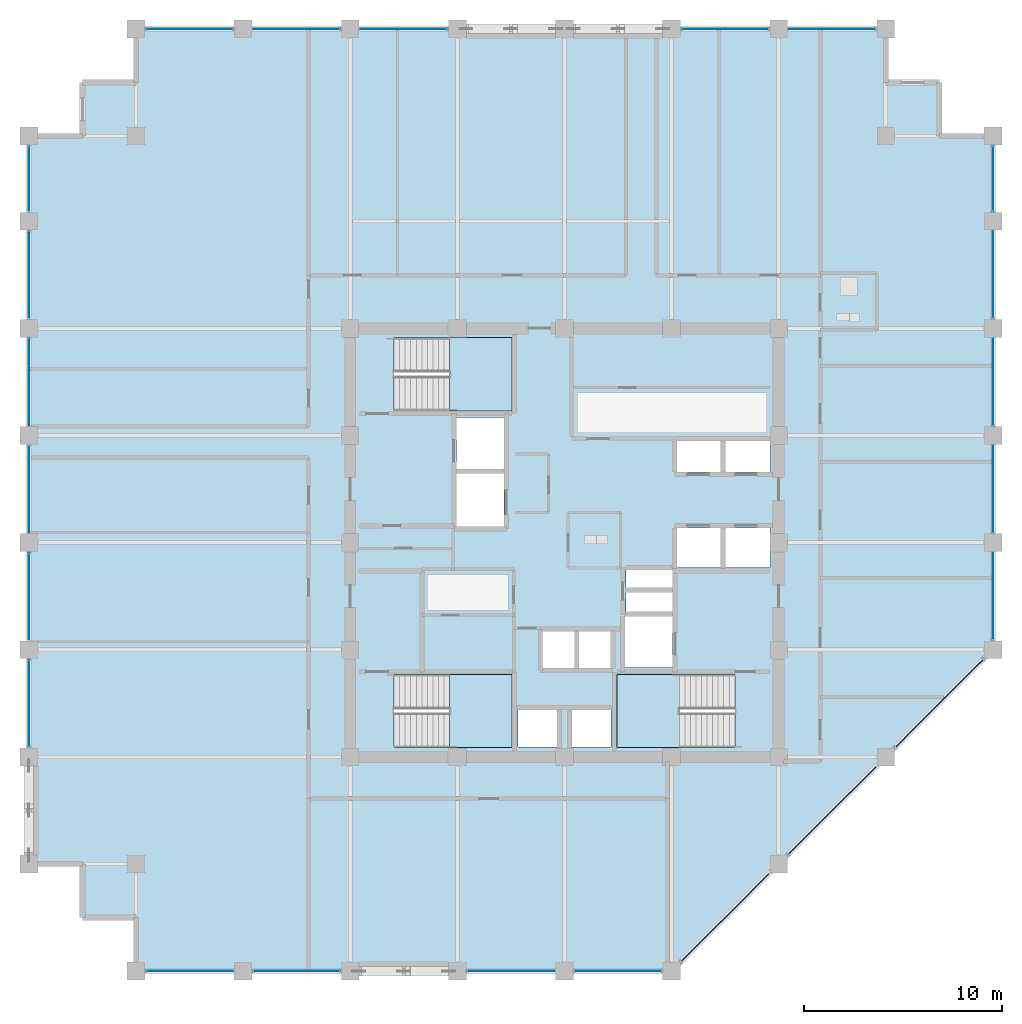
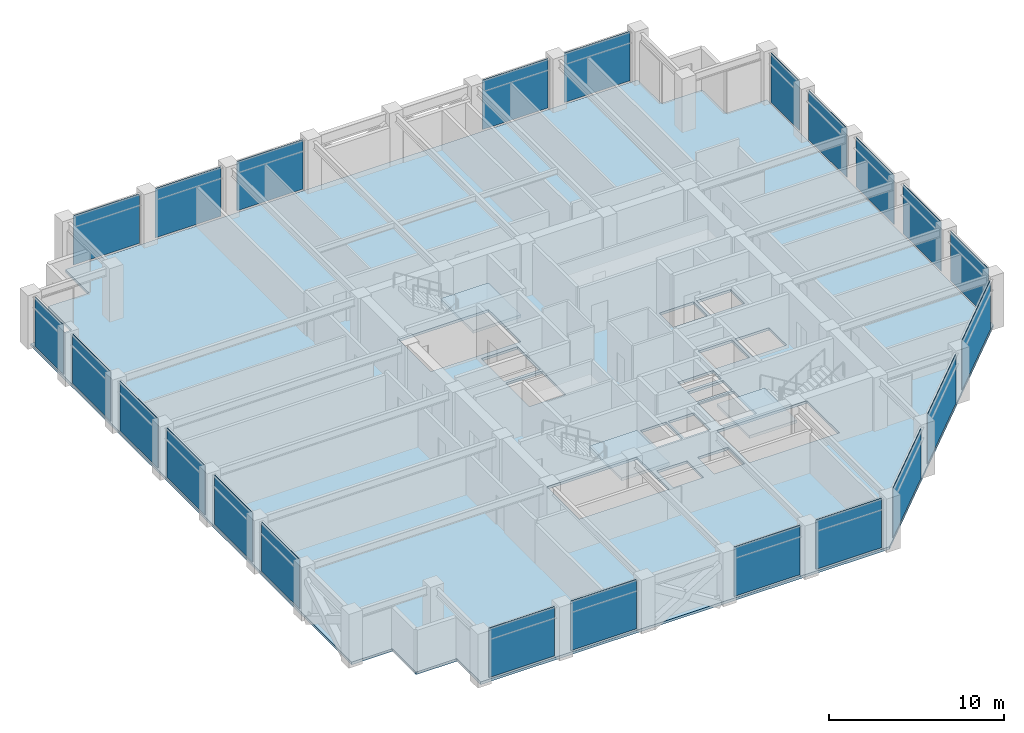
# One storey, part 26 of 32: 23 plates, 4 slabs, 10 elements without a shape of their own.
"""IFC4 building model written with IfcOpenShell, lengths in metres."""

import ifcopenshell
import ifcopenshell.guid

model = None  # the IFC model being written
_history = None  # IfcOwnerHistory: only IFC2X3 demands one
_inside = {}  # id of a spatial element -> (the spatial element, [elements in it])
_under = {}  # id of a project, library or spatial element -> (it, [spatial elements below it])
_declared = {}  # id of a project -> (the project, [libraries it declares])
_typed = {}  # id of a type object -> (the type object, [elements of that type])
_made_of = {}  # id of a material, layer set ... -> (it, [elements and type objects made of it])


def new_model(schema):
    """Start an empty IFC model of exactly this schema.

    Asked for "IFC4X3", IfcOpenShell would pick the latest addendum, in which some entities
    have other attributes; the version numbers below select the first issue.
    IFC2X3 requires an IfcOwnerHistory on every rooted entity: one is made here for all.
    """
    global model, _history
    if schema == "IFC4X3":
        model = ifcopenshell.file(schema_version=(4, 3, 0, 0))
    else:
        model = ifcopenshell.file(schema=schema)
    _inside.clear()
    _under.clear()
    _declared.clear()
    _typed.clear()
    _made_of.clear()
    _history = None
    if model.schema == "IFC2X3":
        org = make("IfcOrganization", Name="unknown")
        user = make(
            "IfcPersonAndOrganization",
            ThePerson=make("IfcPerson", FamilyName="unknown"),
            TheOrganization=org,
        )
        app = make(
            "IfcApplication",
            ApplicationDeveloper=org,
            Version="unknown",
            ApplicationFullName="unknown",
            ApplicationIdentifier="unknown",
        )
        _history = make(
            "IfcOwnerHistory",
            OwningUser=user,
            OwningApplication=app,
            ChangeAction="ADDED",
            CreationDate=0,
        )
    return model


def make(cls, **values):
    """One entity of the class cls with the attributes given. An attribute that is None is left unset."""
    return model.create_entity(
        cls, **{name: value for name, value in values.items() if value is not None}
    )


def rooted(cls, **values):
    """An entity with a GlobalId (a new one), such as an element, a storey or a relation."""
    return make(cls, GlobalId=ifcopenshell.guid.new(), OwnerHistory=_history, **values)


def si_unit(unit_type, name, prefix=None):
    """IfcSIUnit, for example si_unit("LENGTHUNIT", "METRE", prefix="MILLI")."""
    return make("IfcSIUnit", UnitType=unit_type, Prefix=prefix, Name=name)


def assignment(units):
    """IfcUnitAssignment: the units of a project."""
    return None if units is None else make("IfcUnitAssignment", Units=units)


def point(xyz):
    """IfcCartesianPoint."""
    return None if xyz is None else make("IfcCartesianPoint", Coordinates=xyz)


def direction(xyz):
    """IfcDirection."""
    return None if xyz is None else make("IfcDirection", DirectionRatios=xyz)


def frame(location, z_axis=None, x_axis=None):
    """IfcAxis2Placement3D, a coordinate frame: its origin and axes. An axis left out is left unset."""
    return make(
        "IfcAxis2Placement3D",
        Location=point(location),
        Axis=direction(z_axis),
        RefDirection=direction(x_axis),
    )


def frame_2d(location, x_axis=None):
    """IfcAxis2Placement2D, a coordinate frame in the plane: its origin and x axis."""
    return make(
        "IfcAxis2Placement2D", Location=point(location), RefDirection=direction(x_axis)
    )


def origin():
    """The frame at (0, 0, 0) with its axes left unset."""
    return frame((0.0, 0.0, 0.0))


def place(relative_to, where):
    """IfcLocalPlacement: puts the frame where relative to a parent placement (None: the world)."""
    return make(
        "IfcLocalPlacement", PlacementRelTo=relative_to, RelativePlacement=where
    )


def context(
    kind, dimensions, precision=None, world=None, true_north=None, identifier=None
):
    """IfcGeometricRepresentationContext, for example the 3D "Model" context."""
    return make(
        "IfcGeometricRepresentationContext",
        ContextIdentifier=identifier,
        ContextType=kind,
        CoordinateSpaceDimension=dimensions,
        Precision=precision,
        WorldCoordinateSystem=world,
        TrueNorth=true_north,
    )


def subcontext(parent, identifier, kind, view, scale=None):
    """IfcGeometricRepresentationSubContext, for example "Body" below "Model"."""
    return make(
        "IfcGeometricRepresentationSubContext",
        ContextIdentifier=identifier,
        ContextType=kind,
        ParentContext=parent,
        TargetScale=scale,
        TargetView=view,
    )


def project(units=None, contexts=None):
    """IfcProject with its units and contexts."""
    return rooted(
        "IfcProject",
        Name="project",
        RepresentationContexts=contexts,
        UnitsInContext=assignment(units),
    )


def spatial(cls, under=None, at=None, **own):
    """A site, building, storey or space (cls), placed at a placement, below another one or the project."""
    s = rooted(cls, ObjectPlacement=at, **own)
    if under is not None:
        _under.setdefault(under.id(), (under, []))[1].append(s)
    return s


def polyline(points):
    """IfcPolyline through the points."""
    return make("IfcPolyline", Points=[point(p) for p in points])


def profile(cls, at=None, kind="AREA", **sizes):
    """A parametric profile (cls). Its sizes go by their IFC names, for example OverallWidth=200.0."""
    return make(cls, ProfileType=kind, Position=at, **sizes)


def rectangle(**sizes):
    """IfcRectangleProfileDef."""
    return profile("IfcRectangleProfileDef", **sizes)


def outline(outer, holes=None, kind="AREA"):
    """IfcArbitraryClosedProfileDef: a profile drawn as a closed curve; with holes, ...WithVoids."""
    if holes is None:
        return make("IfcArbitraryClosedProfileDef", ProfileType=kind, OuterCurve=outer)
    return make(
        "IfcArbitraryProfileDefWithVoids",
        ProfileType=kind,
        OuterCurve=outer,
        InnerCurves=holes,
    )


def extrude(swept, where, along, depth):
    """IfcExtrudedAreaSolid: the profile swept, set in the frame where, extruded along a direction by depth."""
    return make(
        "IfcExtrudedAreaSolid",
        SweptArea=swept,
        Position=where,
        ExtrudedDirection=direction(along),
        Depth=depth,
    )


def shape(context_of_items, identifier, shape_type, items):
    """IfcShapeRepresentation: the items that make up one representation, for example the "Body"."""
    return make(
        "IfcShapeRepresentation",
        ContextOfItems=context_of_items,
        RepresentationIdentifier=identifier,
        RepresentationType=shape_type,
        Items=items,
    )


def material(Name=None, Category=None):
    """IfcMaterial."""
    return make("IfcMaterial", Name=Name, Category=Category)


def layer(
    of_material, thickness, ventilated=None, Name=None, Category=None, Priority=None
):
    """IfcMaterialLayer: one layer of a wall or slab, of a material (None: an air gap)."""
    return make(
        "IfcMaterialLayer",
        Material=of_material,
        LayerThickness=thickness,
        IsVentilated=ventilated,
        Name=Name,
        Category=Category,
        Priority=Priority,
    )


def layer_set(layers, Name=None):
    """IfcMaterialLayerSet."""
    return make("IfcMaterialLayerSet", MaterialLayers=layers, LayerSetName=Name)


def made_of(thing, what):
    """Note that an element or type object is made of a material, layer set ...; save() writes the relation."""
    if what is not None:
        _made_of.setdefault(what.id(), (what, []))[1].append(thing)
    return thing


def type_object(cls, material=None, **own):
    """A type object (cls), such as IfcWallType, which elements share."""
    return made_of(rooted(cls, **own), material)


def element(
    cls,
    number,
    at=None,
    inside=None,
    cuts=None,
    type_object=None,
    material=None,
    context=None,
    identifier="Body",
    shape_type=None,
    held_by="IfcProductDefinitionShape",
    body=None,
    shapes=None,
    **own,
):
    """One element of the class cls, such as IfcWall. Its Tag is "e" and its number.

    at: its placement. inside: the storey or other place that contains it. cuts: it is an
    opening in that element (IfcRelVoidsElement). A single representation is given by context,
    identifier, shape_type and body (its items); several are given by shapes. held_by: the class
    of the entity that holds the representations. save() writes the other relations.
    """
    e = rooted(cls, Tag="e%d" % number, ObjectPlacement=at, **own)
    if body is not None:
        shapes = [shape(context, identifier, shape_type, body)]
    if shapes is not None:
        e.Representation = make(held_by, Representations=shapes)
    if inside is not None:
        _inside.setdefault(inside.id(), (inside, []))[1].append(e)
    if cuts is not None:
        rooted(
            "IfcRelVoidsElement", RelatingBuildingElement=cuts, RelatedOpeningElement=e
        )
    if type_object is not None:
        _typed.setdefault(type_object.id(), (type_object, []))[1].append(e)
    return made_of(e, material)


def aggregate(whole, parts):
    """IfcRelAggregates: a whole, such as a stair, and the parts it consists of."""
    return rooted("IfcRelAggregates", RelatingObject=whole, RelatedObjects=parts)


def save(model, path):
    """Write the relations noted so far, then the file.

    IfcRelAggregates (storeys below a building ...), IfcRelContainedInSpatialStructure (elements
    in a storey), IfcRelDefinesByType, IfcRelAssociatesMaterial and IfcRelDeclares: one each for
    every whole, place, type object, material and project.
    """
    for whole, parts in _under.values():
        aggregate(whole, parts)
    for where, things in _inside.values():
        rooted(
            "IfcRelContainedInSpatialStructure",
            RelatedElements=things,
            RelatingStructure=where,
        )
    for kind, things in _typed.values():
        rooted("IfcRelDefinesByType", RelatedObjects=things, RelatingType=kind)
    for what, things in _made_of.values():
        rooted("IfcRelAssociatesMaterial", RelatedObjects=things, RelatingMaterial=what)
    for by, libraries in _declared.values():
        rooted("IfcRelDeclares", RelatingContext=by, RelatedDefinitions=libraries)
    model.write(path)


model = new_model("IFC4")

# Units and contexts
model_context = context("Model", 3, precision=1e-05, world=origin(), true_north=direction((0.0, 1.0)))
body_context = subcontext(model_context, "Body", "Model", "MODEL_VIEW")
ifc_project = project(units=[si_unit("LENGTHUNIT", "METRE"), si_unit("AREAUNIT", "SQUARE_METRE"), si_unit("VOLUMEUNIT", "CUBIC_METRE"), si_unit("PLANEANGLEUNIT", "RADIAN"), si_unit("MASSUNIT", "GRAM", prefix="KILO")], contexts=[model_context])

# Site, building, storey
site_placement = place(None, origin())
site = spatial("IfcSite", under=ifc_project, at=site_placement, CompositionType="ELEMENT")
building_placement = place(site_placement, origin())
building = spatial("IfcBuilding", under=site, at=building_placement, Name="Surkhivell Harbour Commons", CompositionType="ELEMENT")
storey_placement = place(building_placement, frame((0.0, 0.0, 197.25)))
storey = spatial("IfcBuildingStorey", under=building, at=storey_placement, Name="L51", CompositionType="ELEMENT", Elevation=197.25)

# Curtain wall, plates
ifc_material_1 = material(Name="Anodised pale-metal aluminium and insulated glazing", Category="aluminium")
ifc_layer_1 = layer(ifc_material_1, 0.18994140625)
ifc_layer_set_1 = layer_set([ifc_layer_1], Name="Anodised pale-metal aluminium and insulated glazing")
curtain_wall_type = type_object("IfcCurtainWallType", Name="CW-SYS-Z3", PredefinedType="NOTDEFINED", material=ifc_layer_set_1)
curtain_wall_1_placement = place(storey_placement, origin())
curtain_wall_1 = element("IfcCurtainWall", 1, at=curtain_wall_1_placement, inside=storey, type_object=curtain_wall_type, Name="L51 Curtain Wall CW-L51-E00S1", PredefinedType="NOTDEFINED")
ifc_material_2 = material(Name="High-pressure typhoon laminated vision glass", Category="glass")
ifc_layer_2 = layer(ifc_material_2, 0.035888671875)
ifc_layer_set_2 = layer_set([ifc_layer_2], Name="High-pressure typhoon laminated vision glass")
plate_type = type_object("IfcPlateType", Name="CWP-GLZ-36", PredefinedType="CURTAIN_PANEL", material=ifc_layer_set_2)
plate_1_placement = place(storey_placement, frame((-21.072998046875, -21.60009765625, 0.1298828125), z_axis=(0.0, 0.0, 1.0), x_axis=(1.0, 0.0, 0.0)))
plate_1 = element("IfcPlate", 2, at=plate_1_placement, type_object=plate_type, Name="CW-Z3 panel 1.1", PredefinedType="CURTAIN_PANEL", context=body_context, shape_type="SweptSolid", body=[
    extrude(rectangle(XDim=4.345947265625, YDim=0.035888671875, at=frame_2d((2.1728515625, 0.0))), origin(), (0.0, 0.0, 1.0), 3.440185546875),
])
plate_2_placement = place(storey_placement, frame((-15.673095703125, -21.60009765625, 0.1298828125), z_axis=(0.0, 0.0, 1.0), x_axis=(1.0, 0.0, 0.0)))
plate_2 = element("IfcPlate", 3, at=plate_2_placement, type_object=plate_type, Name="CW-Z3 panel 2.1", PredefinedType="CURTAIN_PANEL", context=body_context, shape_type="SweptSolid", body=[
    extrude(rectangle(XDim=4.34619140625, YDim=0.035888671875, at=frame_2d((2.173095703125, 0.0))), origin(), (0.0, 0.0, 1.0), 3.440185546875),
])
aggregate(curtain_wall_1, [plate_1, plate_2])

curtain_wall_2_placement = place(storey_placement, origin())
curtain_wall_2 = element("IfcCurtainWall", 4, at=curtain_wall_2_placement, inside=storey, type_object=curtain_wall_type, Name="L51 Curtain Wall CW-L51-E00S2", PredefinedType="NOTDEFINED")
plate_3_placement = place(storey_placement, frame((-4.873046875, -21.60009765625, 0.1298828125), z_axis=(0.0, 0.0, 1.0), x_axis=(1.0, 0.0, 0.0)))
plate_3 = element("IfcPlate", 5, at=plate_3_placement, type_object=plate_type, Name="CW-Z3 panel 1.1", PredefinedType="CURTAIN_PANEL", context=body_context, shape_type="SweptSolid", body=[
    extrude(rectangle(XDim=4.345947265625, YDim=0.035888671875, at=frame_2d((2.1728515625, 0.0))), origin(), (0.0, 0.0, 1.0), 3.440185546875),
])
plate_4_placement = place(storey_placement, frame((0.527099609375, -21.60009765625, 0.1298828125), z_axis=(0.0, 0.0, 1.0), x_axis=(1.0, 0.0, 0.0)))
plate_4 = element("IfcPlate", 6, at=plate_4_placement, type_object=plate_type, Name="CW-Z3 panel 2.1", PredefinedType="CURTAIN_PANEL", context=body_context, shape_type="SweptSolid", body=[
    extrude(rectangle(XDim=4.345947265625, YDim=0.035888671875, at=frame_2d((2.1728515625, 0.0))), origin(), (0.0, 0.0, 1.0), 3.440185546875),
])
aggregate(curtain_wall_2, [plate_3, plate_4])

curtain_wall_3_placement = place(storey_placement, origin())
curtain_wall_3 = element("IfcCurtainWall", 7, at=curtain_wall_3_placement, inside=storey, type_object=curtain_wall_type, Name="L51 Curtain Wall CW-L51-E01", PredefinedType="NOTDEFINED")
plate_5_placement = place(storey_placement, frame((5.90478515625, -21.09521484375, 0.1298828125), z_axis=(0.0, 0.0, 1.0), x_axis=(0.707106781187, 0.707106781187, 0.0)))
plate_5 = element("IfcPlate", 8, at=plate_5_placement, type_object=plate_type, Name="CW-Z3 panel 1.1", PredefinedType="CURTAIN_PANEL", context=body_context, shape_type="SweptSolid", body=[
    extrude(rectangle(XDim=6.209228515625, YDim=0.035888671875, at=frame_2d((3.1044921875, 0.0))), origin(), (0.0, 0.0, 1.0), 3.440185546875),
])
plate_6_placement = place(storey_placement, frame((11.3046875, -15.6953125, 0.1298828125), z_axis=(0.0, 0.0, 1.0), x_axis=(0.707106781187, 0.707106781187, 0.0)))
plate_6 = element("IfcPlate", 9, at=plate_6_placement, type_object=plate_type, Name="CW-Z3 panel 2.1", PredefinedType="CURTAIN_PANEL", context=body_context, shape_type="SweptSolid", body=[
    extrude(rectangle(XDim=6.209228515625, YDim=0.035888671875, at=frame_2d((3.1044921875, 0.0))), origin(), (0.0, 0.0, 1.0), 3.440185546875),
])
plate_7_placement = place(storey_placement, frame((16.70458984375, -10.29541015625, 0.1298828125), z_axis=(0.0, 0.0, 1.0), x_axis=(0.707106781187, 0.707106781187, 0.0)))
plate_7 = element("IfcPlate", 10, at=plate_7_placement, type_object=plate_type, Name="CW-Z3 panel 3.1", PredefinedType="CURTAIN_PANEL", context=body_context, shape_type="SweptSolid", body=[
    extrude(rectangle(XDim=6.209228515625, YDim=0.035888671875, at=frame_2d((3.1044921875, 0.0))), origin(), (0.0, 0.0, 1.0), 3.440185546875),
])
aggregate(curtain_wall_3, [plate_5, plate_6, plate_7])

curtain_wall_4_placement = place(storey_placement, origin())
curtain_wall_4 = element("IfcCurtainWall", 11, at=curtain_wall_4_placement, inside=storey, type_object=curtain_wall_type, Name="L51 Curtain Wall CW-L51-E02", PredefinedType="NOTDEFINED")
plate_8_placement = place(storey_placement, frame((21.60009765625, -4.873046875, 0.1298828125), z_axis=(0.0, 0.0, 1.0), x_axis=(0.0, 1.0, 0.0)))
plate_8 = element("IfcPlate", 12, at=plate_8_placement, type_object=plate_type, Name="CW-Z3 panel 1.1", PredefinedType="CURTAIN_PANEL", context=body_context, shape_type="SweptSolid", body=[
    extrude(rectangle(XDim=4.345947265625, YDim=0.035888671875, at=frame_2d((2.1728515625, 0.0))), origin(), (0.0, 0.0, 1.0), 3.440185546875),
])
plate_9_placement = place(storey_placement, frame((21.60009765625, 0.527099609375, 0.1298828125), z_axis=(0.0, 0.0, 1.0), x_axis=(0.0, 1.0, 0.0)))
plate_9 = element("IfcPlate", 13, at=plate_9_placement, type_object=plate_type, Name="CW-Z3 panel 2.1", PredefinedType="CURTAIN_PANEL", context=body_context, shape_type="SweptSolid", body=[
    extrude(rectangle(XDim=4.345947265625, YDim=0.035888671875, at=frame_2d((2.1728515625, 0.0))), origin(), (0.0, 0.0, 1.0), 3.440185546875),
])
plate_10_placement = place(storey_placement, frame((21.60009765625, 5.927001953125, 0.1298828125), z_axis=(0.0, 0.0, 1.0), x_axis=(0.0, 1.0, 0.0)))
plate_10 = element("IfcPlate", 14, at=plate_10_placement, type_object=plate_type, Name="CW-Z3 panel 3.1", PredefinedType="CURTAIN_PANEL", context=body_context, shape_type="SweptSolid", body=[
    extrude(rectangle(XDim=4.345947265625, YDim=0.035888671875, at=frame_2d((2.1728515625, 0.0))), origin(), (0.0, 0.0, 1.0), 3.440185546875),
])
plate_11_placement = place(storey_placement, frame((21.60009765625, 11.326904296875, 0.1298828125), z_axis=(0.0, 0.0, 1.0), x_axis=(0.0, 1.0, 0.0)))
plate_11 = element("IfcPlate", 15, at=plate_11_placement, type_object=plate_type, Name="CW-Z3 panel 4.1", PredefinedType="CURTAIN_PANEL", context=body_context, shape_type="SweptSolid", body=[
    extrude(rectangle(XDim=4.34619140625, YDim=0.035888671875, at=frame_2d((2.173095703125, 0.0))), origin(), (0.0, 0.0, 1.0), 3.440185546875),
])
plate_12_placement = place(storey_placement, frame((21.60009765625, 16.72705078125, 0.1298828125), z_axis=(0.0, 0.0, 1.0), x_axis=(0.0, 1.0, 0.0)))
plate_12 = element("IfcPlate", 16, at=plate_12_placement, type_object=plate_type, Name="CW-Z3 panel 5.1", PredefinedType="CURTAIN_PANEL", context=body_context, shape_type="SweptSolid", body=[
    extrude(rectangle(XDim=3.245849609375, YDim=0.035888671875, at=frame_2d((1.623046875, 0.0))), origin(), (0.0, 0.0, 1.0), 3.440185546875),
])
aggregate(curtain_wall_4, [plate_8, plate_9, plate_10, plate_11, plate_12])

curtain_wall_5_placement = place(storey_placement, origin())
curtain_wall_5 = element("IfcCurtainWall", 17, at=curtain_wall_5_placement, inside=storey, type_object=curtain_wall_type, Name="L51 Curtain Wall CW-L51-E07S1", PredefinedType="NOTDEFINED")
plate_13_placement = place(storey_placement, frame((15.673095703125, 25.89990234375, 0.1298828125), z_axis=(0.0, 0.0, 1.0), x_axis=(-1.0, 0.0, 0.0)))
plate_13 = element("IfcPlate", 18, at=plate_13_placement, type_object=plate_type, Name="CW-Z3 panel 1.1", PredefinedType="CURTAIN_PANEL", context=body_context, shape_type="SweptSolid", body=[
    extrude(rectangle(XDim=4.34619140625, YDim=0.035888671875, at=frame_2d((2.173095703125, 0.0))), origin(), (0.0, 0.0, 1.0), 3.440185546875),
])
plate_14_placement = place(storey_placement, frame((10.27294921875, 25.89990234375, 0.1298828125), z_axis=(0.0, 0.0, 1.0), x_axis=(-1.0, 0.0, 0.0)))
plate_14 = element("IfcPlate", 19, at=plate_14_placement, type_object=plate_type, Name="CW-Z3 panel 2.1", PredefinedType="CURTAIN_PANEL", context=body_context, shape_type="SweptSolid", body=[
    extrude(rectangle(XDim=4.345947265625, YDim=0.035888671875, at=frame_2d((2.1728515625, 0.0))), origin(), (0.0, 0.0, 1.0), 3.440185546875),
])
aggregate(curtain_wall_5, [plate_13, plate_14])

curtain_wall_6_placement = place(storey_placement, origin())
curtain_wall_6 = element("IfcCurtainWall", 20, at=curtain_wall_6_placement, inside=storey, type_object=curtain_wall_type, Name="L51 Curtain Wall CW-L51-E07S2", PredefinedType="NOTDEFINED")
plate_15_placement = place(storey_placement, frame((-5.927001953125, 25.89990234375, 0.1298828125), z_axis=(0.0, 0.0, 1.0), x_axis=(-1.0, 0.0, 0.0)))
plate_15 = element("IfcPlate", 21, at=plate_15_placement, type_object=plate_type, Name="CW-Z3 panel 1.1", PredefinedType="CURTAIN_PANEL", context=body_context, shape_type="SweptSolid", body=[
    extrude(rectangle(XDim=4.345947265625, YDim=0.035888671875, at=frame_2d((2.1728515625, 0.0))), origin(), (0.0, 0.0, 1.0), 3.440185546875),
])
plate_16_placement = place(storey_placement, frame((-11.326904296875, 25.89990234375, 0.1298828125), z_axis=(0.0, 0.0, 1.0), x_axis=(-1.0, 0.0, 0.0)))
plate_16 = element("IfcPlate", 22, at=plate_16_placement, type_object=plate_type, Name="CW-Z3 panel 2.1", PredefinedType="CURTAIN_PANEL", context=body_context, shape_type="SweptSolid", body=[
    extrude(rectangle(XDim=4.34619140625, YDim=0.035888671875, at=frame_2d((2.173095703125, 0.0))), origin(), (0.0, 0.0, 1.0), 3.440185546875),
])
plate_17_placement = place(storey_placement, frame((-16.72705078125, 25.89990234375, 0.1298828125), z_axis=(0.0, 0.0, 1.0), x_axis=(-1.0, 0.0, 0.0)))
plate_17 = element("IfcPlate", 23, at=plate_17_placement, type_object=plate_type, Name="CW-Z3 panel 3.1", PredefinedType="CURTAIN_PANEL", context=body_context, shape_type="SweptSolid", body=[
    extrude(rectangle(XDim=4.345947265625, YDim=0.035888671875, at=frame_2d((2.1728515625, 0.0))), origin(), (0.0, 0.0, 1.0), 3.440185546875),
])
aggregate(curtain_wall_6, [plate_15, plate_16, plate_17])

curtain_wall_7_placement = place(storey_placement, origin())
curtain_wall_7 = element("IfcCurtainWall", 24, at=curtain_wall_7_placement, inside=storey, type_object=curtain_wall_type, Name="L51 Curtain Wall CW-L51-E12S1", PredefinedType="NOTDEFINED")
plate_18_placement = place(storey_placement, frame((-27.0, 19.972900390625, 0.1298828125), z_axis=(0.0, 0.0, 1.0), x_axis=(0.0, -1.0, 0.0)))
plate_18 = element("IfcPlate", 25, at=plate_18_placement, type_object=plate_type, Name="CW-Z3 panel 1.1", PredefinedType="CURTAIN_PANEL", context=body_context, shape_type="SweptSolid", body=[
    extrude(rectangle(XDim=3.245849609375, YDim=0.035888671875, at=frame_2d((1.623046875, 0.0))), origin(), (0.0, 0.0, 1.0), 3.440185546875),
])
plate_19_placement = place(storey_placement, frame((-27.0, 15.673095703125, 0.1298828125), z_axis=(0.0, 0.0, 1.0), x_axis=(0.0, -1.0, 0.0)))
plate_19 = element("IfcPlate", 26, at=plate_19_placement, type_object=plate_type, Name="CW-Z3 panel 2.1", PredefinedType="CURTAIN_PANEL", context=body_context, shape_type="SweptSolid", body=[
    extrude(rectangle(XDim=4.34619140625, YDim=0.035888671875, at=frame_2d((2.173095703125, 0.0))), origin(), (0.0, 0.0, 1.0), 3.440185546875),
])
plate_20_placement = place(storey_placement, frame((-27.0, 10.27294921875, 0.1298828125), z_axis=(0.0, 0.0, 1.0), x_axis=(0.0, -1.0, 0.0)))
plate_20 = element("IfcPlate", 27, at=plate_20_placement, type_object=plate_type, Name="CW-Z3 panel 3.1", PredefinedType="CURTAIN_PANEL", context=body_context, shape_type="SweptSolid", body=[
    extrude(rectangle(XDim=4.345947265625, YDim=0.035888671875, at=frame_2d((2.1728515625, 0.0))), origin(), (0.0, 0.0, 1.0), 3.440185546875),
])
plate_21_placement = place(storey_placement, frame((-27.0, 4.873046875, 0.1298828125), z_axis=(0.0, 0.0, 1.0), x_axis=(0.0, -1.0, 0.0)))
plate_21 = element("IfcPlate", 28, at=plate_21_placement, type_object=plate_type, Name="CW-Z3 panel 4.1", PredefinedType="CURTAIN_PANEL", context=body_context, shape_type="SweptSolid", body=[
    extrude(rectangle(XDim=4.345947265625, YDim=0.035888671875, at=frame_2d((2.1728515625, 0.0))), origin(), (0.0, 0.0, 1.0), 3.440185546875),
])
plate_22_placement = place(storey_placement, frame((-27.0, -0.527099609375, 0.1298828125), z_axis=(0.0, 0.0, 1.0), x_axis=(0.0, -1.0, 0.0)))
plate_22 = element("IfcPlate", 29, at=plate_22_placement, type_object=plate_type, Name="CW-Z3 panel 5.1", PredefinedType="CURTAIN_PANEL", context=body_context, shape_type="SweptSolid", body=[
    extrude(rectangle(XDim=4.345947265625, YDim=0.035888671875, at=frame_2d((2.1728515625, 0.0))), origin(), (0.0, 0.0, 1.0), 3.440185546875),
])
plate_23_placement = place(storey_placement, frame((-27.0, -5.927001953125, 0.1298828125), z_axis=(0.0, 0.0, 1.0), x_axis=(0.0, -1.0, 0.0)))
plate_23 = element("IfcPlate", 30, at=plate_23_placement, type_object=plate_type, Name="CW-Z3 panel 6.1", PredefinedType="CURTAIN_PANEL", context=body_context, shape_type="SweptSolid", body=[
    extrude(rectangle(XDim=4.345947265625, YDim=0.035888671875, at=frame_2d((2.1728515625, 0.0))), origin(), (0.0, 0.0, 1.0), 3.440185546875),
])
aggregate(curtain_wall_7, [plate_18, plate_19, plate_20, plate_21, plate_22, plate_23])

# Stair, slab
ifc_material_3 = material(Name="Precast concrete C45/55", Category="concrete")
stair_type = type_object("IfcStairType", Name="STR-DL-375", PredefinedType="HALF_TURN_STAIR", material=ifc_material_3)
stair_1_placement = place(storey_placement, origin())
stair_1 = element("IfcStair", 31, at=stair_1_placement, inside=storey, type_object=stair_type, Name="L51 Core Exit Stair ST1", PredefinedType="HALF_TURN_STAIR")
ifc_material_4 = material(Name="Reinforced concrete C45/55", Category="concrete")
ifc_layer_3 = layer(ifc_material_4, 0.199951171875)
ifc_layer_set_3 = layer_set([ifc_layer_3], Name="Reinforced concrete C45/55")
slab_type_1 = type_object("IfcSlabType", Name="SLB-ST-LND200", PredefinedType="LANDING", material=ifc_layer_set_3)
slab_1_placement = place(storey_placement, frame((0.0, 0.0, 1.675048828125)))
slab_1 = element("IfcSlab", 32, at=slab_1_placement, type_object=slab_type_1, Name="ST1 landing 1", PredefinedType="LANDING", context=body_context, shape_type="SweptSolid", body=[
    extrude(outline(polyline([(-5.7900390625, 6.639892578125), (-2.639892578125, 6.639892578125), (-2.639892578125, 10.340087890625), (-5.7900390625, 10.340087890625), (-5.7900390625, 6.639892578125)])), origin(), (0.0, 0.0, 1.0), 0.199951171875),
])
aggregate(stair_1, [slab_1])

stair_2_placement = place(storey_placement, origin())
stair_2 = element("IfcStair", 33, at=stair_2_placement, inside=storey, type_object=stair_type, Name="L51 Core Exit Stair ST2", PredefinedType="HALF_TURN_STAIR")
slab_2_placement = place(storey_placement, frame((0.0, 0.0, 1.675048828125)))
slab_2 = element("IfcSlab", 34, at=slab_2_placement, type_object=slab_type_1, Name="ST2 landing 1", PredefinedType="LANDING", context=body_context, shape_type="SweptSolid", body=[
    extrude(outline(polyline([(5.7900390625, -6.639892578125), (2.639892578125, -6.639892578125), (2.639892578125, -10.340087890625), (5.7900390625, -10.340087890625), (5.7900390625, -6.639892578125)])), origin(), (0.0, 0.0, 1.0), 0.199951171875),
])
aggregate(stair_2, [slab_2])

stair_3_placement = place(storey_placement, origin())
stair_3 = element("IfcStair", 35, at=stair_3_placement, inside=storey, type_object=stair_type, Name="L51 Core Exit Stair ST3", PredefinedType="HALF_TURN_STAIR")
slab_3_placement = place(storey_placement, frame((0.0, 0.0, 1.675048828125)))
slab_3 = element("IfcSlab", 36, at=slab_3_placement, type_object=slab_type_1, Name="ST3 landing 1", PredefinedType="LANDING", context=body_context, shape_type="SweptSolid", body=[
    extrude(outline(polyline([(-5.7900390625, -10.340087890625), (-2.639892578125, -10.340087890625), (-2.639892578125, -6.639892578125), (-5.7900390625, -6.639892578125), (-5.7900390625, -10.340087890625)])), origin(), (0.0, 0.0, 1.0), 0.199951171875),
])
aggregate(stair_3, [slab_3])

# Slab
ifc_material_5 = material(Name="Concrete C45/55", Category="concrete")
ifc_layer_4 = layer(ifc_material_5, 0.179931640625)
ifc_layer_set_4 = layer_set([ifc_layer_4], Name="Concrete C45/55")
slab_type_2 = type_object("IfcSlabType", Name="SLB-TYP-180", PredefinedType="FLOOR", material=ifc_layer_set_4)
slab_4_placement = place(storey_placement, frame((0.0, 0.0, -0.179931640625)))
element("IfcSlab", 37, at=slab_4_placement, inside=storey, type_object=slab_type_2, Name="L51 Structural Floor Slab", PredefinedType="FLOOR", context=body_context, shape_type="SweptSolid", body=[
    extrude(outline(polyline([(-21.60009765625, -21.60009765625), (5.39990234375, -21.60009765625), (21.60009765625, -5.39990234375), (21.60009765625, 20.5), (18.89990234375, 20.5), (18.89990234375, 23.199951171875), (16.199951171875, 23.199951171875), (16.199951171875, 25.89990234375), (-21.60009765625, 25.89990234375), (-21.60009765625, 23.199951171875), (-24.300048828125, 23.199951171875), (-24.300048828125, 20.5), (-27.0, 20.5), (-27.0, -16.199951171875), (-24.300048828125, -16.199951171875), (-24.300048828125, -18.89990234375), (-21.60009765625, -18.89990234375), (-21.60009765625, -21.60009765625)]), holes=[polyline([(-8.590087890625, 6.639892578125), (-2.639892578125, 6.639892578125), (-2.639892578125, 10.340087890625), (-8.590087890625, 10.340087890625), (-8.590087890625, 6.639892578125)]), polyline([(8.590087890625, -6.639892578125), (2.639892578125, -6.639892578125), (2.639892578125, -10.340087890625), (8.590087890625, -10.340087890625), (8.590087890625, -6.639892578125)]), polyline([(-8.590087890625, -10.340087890625), (-2.639892578125, -10.340087890625), (-2.639892578125, -6.639892578125), (-8.590087890625, -6.639892578125), (-8.590087890625, -10.340087890625)]), polyline([(5.64990234375, 3.550048828125), (7.89990234375, 3.550048828125), (7.89990234375, 5.14990234375), (5.64990234375, 5.14990234375), (5.64990234375, 3.550048828125)]), polyline([(8.10009765625, 3.550048828125), (10.35009765625, 3.550048828125), (10.35009765625, 5.14990234375), (8.10009765625, 5.14990234375), (8.10009765625, 3.550048828125)]), polyline([(5.64990234375, -1.25), (7.89990234375, -1.25), (7.89990234375, 0.75), (5.64990234375, 0.75), (5.64990234375, -1.25)]), polyline([(8.10009765625, -1.25), (10.35009765625, -1.25), (10.35009765625, 0.75), (8.10009765625, 0.75), (8.10009765625, -1.25)]), polyline([(-1.14990234375, -6.35009765625), (0.550048828125, -6.35009765625), (0.550048828125, -4.449951171875), (-1.14990234375, -4.449951171875), (-1.14990234375, -6.35009765625)]), polyline([(0.679931640625, -6.35009765625), (2.3798828125, -6.35009765625), (2.3798828125, -4.449951171875), (0.679931640625, -4.449951171875), (0.679931640625, -6.35009765625)]), polyline([(-2.35009765625, -10.300048828125), (-0.35009765625, -10.300048828125), (-0.35009765625, -8.39990234375), (-2.35009765625, -8.39990234375), (-2.35009765625, -10.300048828125)]), polyline([(0.35009765625, -10.300048828125), (2.35009765625, -10.300048828125), (2.35009765625, -8.39990234375), (0.35009765625, -8.39990234375), (0.35009765625, -10.300048828125)]), polyline([(-5.449951171875, 3.699951171875), (-3.050048828125, 3.699951171875), (-3.050048828125, 6.300048828125), (-5.449951171875, 6.300048828125), (-5.449951171875, 3.699951171875)]), polyline([(3.050048828125, -6.300048828125), (5.449951171875, -6.300048828125), (5.449951171875, -3.699951171875), (3.050048828125, -3.699951171875), (3.050048828125, -6.300048828125)]), polyline([(-5.449951171875, 0.800048828125), (-3.050048828125, 0.800048828125), (-3.050048828125, 3.5), (-5.449951171875, 3.5), (-5.449951171875, 0.800048828125)]), polyline([(3.10009765625, -3.550048828125), (5.449951171875, -3.550048828125), (5.449951171875, -2.47998046875), (3.10009765625, -2.47998046875), (3.10009765625, -3.550048828125)]), polyline([(3.10009765625, -2.280029296875), (5.449951171875, -2.280029296875), (5.449951171875, -1.35009765625), (3.10009765625, -1.35009765625), (3.10009765625, -2.280029296875)])]), origin(), (0.0, 0.0, 1.0), 0.179931640625),
])

save(model, "model.ifc")
